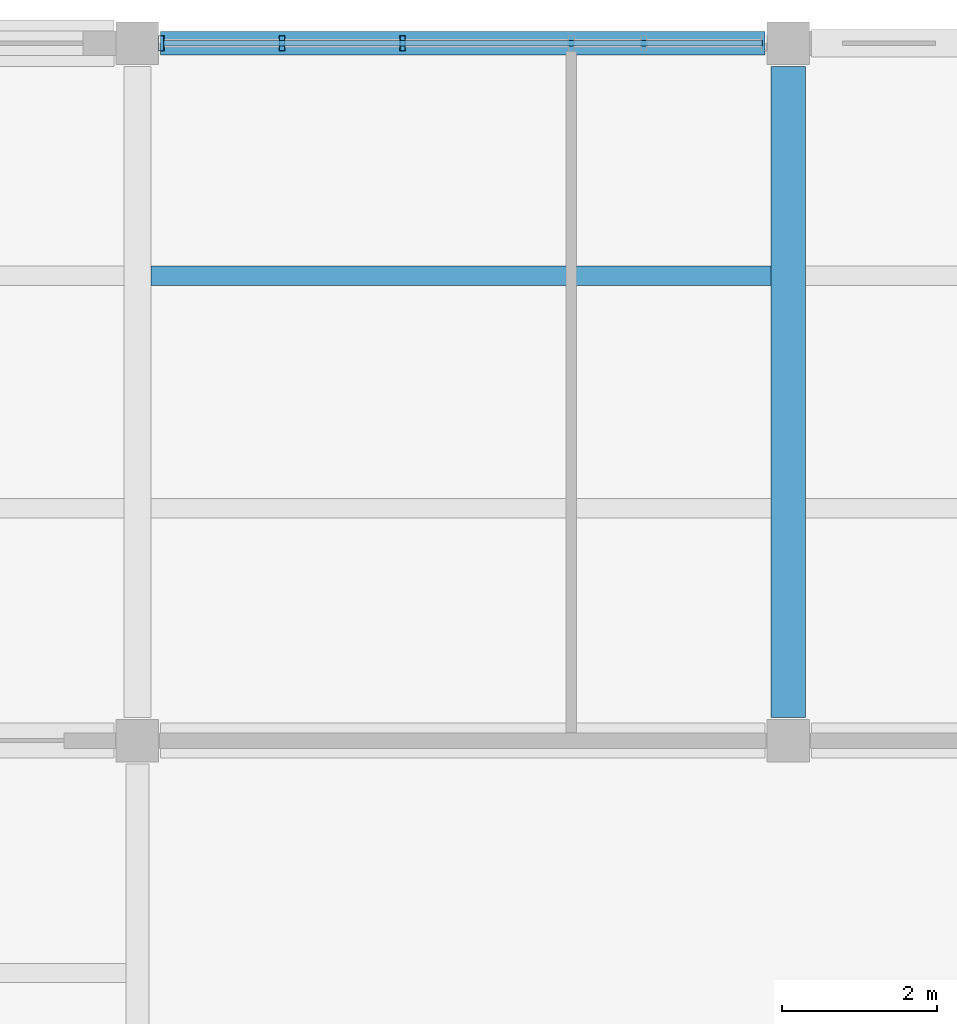
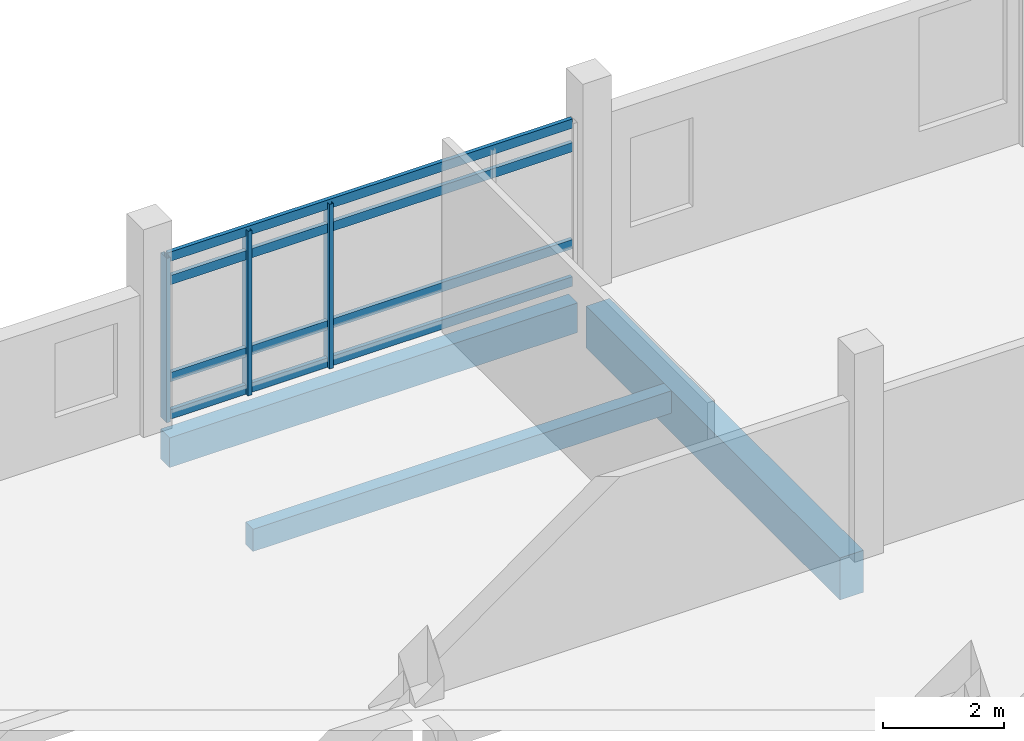
# One storey, part 60 of 130: 7 members, 3 beams, 1 element without a shape of its own.
"""IFC4 building model written with IfcOpenShell, lengths in metres."""

from ifc_helpers import new_model, si_unit, direction, frame, origin, origin_2d, place, context, subcontext, project, spatial, rectangle, hollow_rectangle, extrude, material, layer, layer_set, material_profile, profile_set, type_object, element, aggregate, save


model = new_model("IFC4")

# Units and contexts
model_context = context("Model", 3, precision=1e-05, world=origin(), true_north=direction((0.0, 1.0)))
body_context = subcontext(model_context, "Body", "Model", "MODEL_VIEW")
ifc_project = project(units=[si_unit("LENGTHUNIT", "METRE"), si_unit("AREAUNIT", "SQUARE_METRE"), si_unit("VOLUMEUNIT", "CUBIC_METRE"), si_unit("PLANEANGLEUNIT", "RADIAN"), si_unit("MASSUNIT", "GRAM", prefix="KILO")], contexts=[model_context])

# Site, building, storey
site_placement = place(None, origin())
site = spatial("IfcSite", under=ifc_project, at=site_placement, CompositionType="ELEMENT")
building_placement = place(site_placement, origin())
building = spatial("IfcBuilding", under=site, at=building_placement, Name="Vireocrest Preparatory School", CompositionType="ELEMENT")
storey_placement = place(building_placement, frame((0.0, 0.0, 9.0)))
storey = spatial("IfcBuildingStorey", under=building, at=storey_placement, Name="L02", CompositionType="ELEMENT", Elevation=9.0)

# Curtain wall, members
ifc_material_1 = material(Name="Thermally broken aluminium EN AW-6063-T6", Category="aluminium")
ifc_layer = layer(ifc_material_1, 0.179931640625)
ifc_layer_set = layer_set([ifc_layer], Name="Thermally broken aluminium EN AW-6063-T6")
curtain_wall_type = type_object("IfcCurtainWallType", Name="North Street Curtain Wall 8400x4000", PredefinedType="USERDEFINED", material=ifc_layer_set)
curtain_wall_placement = place(storey_placement, origin())
curtain_wall = element("IfcCurtainWall", 1, at=curtain_wall_placement, inside=storey, type_object=curtain_wall_type, Name="Curtain Wall CW05 CW_L02_CW05_0506_1128_090", ObjectType="CURTAIN WALL", PredefinedType="USERDEFINED")
ifc_material_profile_1 = material_profile(ifc_material_1, hollow_rectangle(XDim=0.074951171875, YDim=0.199951171875, WallThickness=0.0048828125, at=origin_2d()), Name="ALU 75x200x5")
ifc_profile_set_1 = profile_set([ifc_material_profile_1], Name="Thermally broken aluminium EN AW-6063-T6")
member_type_1 = type_object("IfcMemberType", Name="CW Mullion 75x200x5", PredefinedType="MULLION", material=ifc_profile_set_1)
member_1_placement = place(storey_placement, frame((50.7099609375, 112.800048828125, 0.0), z_axis=(0.0, 0.0, 1.0), x_axis=(1.0, 0.0, 0.0)))
member_1 = element("IfcMember", 2, at=member_1_placement, type_object=member_type_1, Name="CW Mullion ML3 CW_L02_CW05_0506_1128_090-1", PredefinedType="MULLION", context=body_context, shape_type="SweptSolid", body=[
    extrude(hollow_rectangle(XDim=0.074951171875, YDim=0.199951171875, WallThickness=0.0048828125, at=origin_2d()), origin(), (0.0, 0.0, 1.0), 3.324951171875),
])
member_2_placement = place(storey_placement, frame((52.26611328125, 112.800048828125, 0.0), z_axis=(0.0, 0.0, 1.0), x_axis=(1.0, 0.0, 0.0)))
member_2 = element("IfcMember", 3, at=member_2_placement, type_object=member_type_1, Name="CW Mullion ML3 CW_L02_CW05_0506_1128_090-2", PredefinedType="MULLION", context=body_context, shape_type="SweptSolid", body=[
    extrude(hollow_rectangle(XDim=0.074951171875, YDim=0.199951171875, WallThickness=0.0048828125, at=origin_2d()), origin(), (0.0, 0.0, 1.0), 3.324951171875),
])
member_3_placement = place(storey_placement, frame((53.822021484375, 112.800048828125, 0.0), z_axis=(0.0, 0.0, 1.0), x_axis=(1.0, 0.0, 0.0)))
member_3 = element("IfcMember", 4, at=member_3_placement, type_object=member_type_1, Name="CW Mullion ML3 CW_L02_CW05_0506_1128_090-3", PredefinedType="MULLION", context=body_context, shape_type="SweptSolid", body=[
    extrude(hollow_rectangle(XDim=0.074951171875, YDim=0.199951171875, WallThickness=0.0048828125, at=origin_2d()), origin(), (0.0, 0.0, 1.0), 3.324951171875),
])
ifc_material_profile_2 = material_profile(ifc_material_1, hollow_rectangle(XDim=0.074951171875, YDim=0.18994140625, WallThickness=0.00390625, at=origin_2d()), Name="ALU 75x190x4")
ifc_profile_set_2 = profile_set([ifc_material_profile_2], Name="Thermally broken aluminium EN AW-6063-T6")
member_type_2 = type_object("IfcMemberType", Name="CW Transom 75x190x4", PredefinedType="USERDEFINED", material=ifc_profile_set_2)
member_4_placement = place(storey_placement, frame((50.735107421875, 112.800048828125, 0.094970703125), z_axis=(1.0, 0.0, 0.0), x_axis=(0.0, 1.0, 0.0)))
member_4 = element("IfcMember", 5, at=member_4_placement, type_object=member_type_2, Name="CW Transom TR3 CW_L02_CW05_0506_1128_090-1", ObjectType="TRANSOM", PredefinedType="USERDEFINED", context=body_context, shape_type="SweptSolid", body=[
    extrude(hollow_rectangle(XDim=0.074951171875, YDim=0.18994140625, WallThickness=0.00390625, at=origin_2d()), origin(), (0.0, 0.0, 1.0), 7.72998046875),
])
member_5_placement = place(storey_placement, frame((50.735107421875, 112.800048828125, 0.85009765625), z_axis=(1.0, 0.0, 0.0), x_axis=(0.0, 1.0, 0.0)))
member_5 = element("IfcMember", 6, at=member_5_placement, type_object=member_type_2, Name="CW Transom TR3 CW_L02_CW05_0506_1128_090-2", ObjectType="TRANSOM", PredefinedType="USERDEFINED", context=body_context, shape_type="SweptSolid", body=[
    extrude(hollow_rectangle(XDim=0.074951171875, YDim=0.18994140625, WallThickness=0.00390625, at=origin_2d()), origin(), (0.0, 0.0, 1.0), 7.72998046875),
])
member_6_placement = place(storey_placement, frame((50.735107421875, 112.800048828125, 2.81005859375), z_axis=(1.0, 0.0, 0.0), x_axis=(0.0, 1.0, 0.0)))
member_6 = element("IfcMember", 7, at=member_6_placement, type_object=member_type_2, Name="CW Transom TR3 CW_L02_CW05_0506_1128_090-3", ObjectType="TRANSOM", PredefinedType="USERDEFINED", context=body_context, shape_type="SweptSolid", body=[
    extrude(hollow_rectangle(XDim=0.074951171875, YDim=0.18994140625, WallThickness=0.00390625, at=origin_2d()), origin(), (0.0, 0.0, 1.0), 7.72998046875),
])
member_7_placement = place(storey_placement, frame((50.735107421875, 112.800048828125, 3.284912109375), z_axis=(1.0, 0.0, 0.0), x_axis=(0.0, 1.0, 0.0)))
member_7 = element("IfcMember", 8, at=member_7_placement, type_object=member_type_2, Name="CW Transom TR3 CW_L02_CW05_0506_1128_090-4", ObjectType="TRANSOM", PredefinedType="USERDEFINED", context=body_context, shape_type="SweptSolid", body=[
    extrude(hollow_rectangle(XDim=0.074951171875, YDim=0.18994140625, WallThickness=0.00390625, at=origin_2d()), origin(), (0.0, 0.0, 1.0), 7.72998046875),
])
aggregate(curtain_wall, [member_1, member_2, member_3, member_4, member_5, member_6, member_7])

# Beams
ifc_material_2 = material(Name="Concrete 40 MPa", Category="concrete")
ifc_material_profile_3 = material_profile(ifc_material_2, rectangle(XDim=0.300048828125, YDim=0.60009765625, at=origin_2d()), Name="RC 300x600")
ifc_profile_set_3 = profile_set([ifc_material_profile_3], Name="Concrete 40 MPa")
beam_type_1 = type_object("IfcBeamType", Name="RC Classroom Beam 300x600", PredefinedType="BEAM", material=ifc_profile_set_3)
beam_1_placement = place(storey_placement, frame((50.699951171875, 112.800048828125, -0.580078125), z_axis=(1.0, 0.0, 0.0), x_axis=(0.0, 1.0, 0.0)))
element("IfcBeam", 9, at=beam_1_placement, inside=storey, type_object=beam_type_1, Name="Primary Girder B03 L02-0775", PredefinedType="BEAM", context=body_context, shape_type="SweptSolid", body=[
    extrude(rectangle(XDim=0.300048828125, YDim=0.60009765625, at=origin_2d()), origin(), (0.0, 0.0, 1.0), 7.800048828125),
])
ifc_material_profile_4 = material_profile(ifc_material_2, rectangle(XDim=0.449951171875, YDim=0.85009765625, at=origin_2d()), Name="RC 450x850")
ifc_profile_set_4 = profile_set([ifc_material_profile_4], Name="Concrete 40 MPa")
beam_type_2 = type_object("IfcBeamType", Name="RC Heavy Floor Girder 450x850", PredefinedType="BEAM", material=ifc_profile_set_4)
beam_2_placement = place(storey_placement, frame((58.800048828125, 104.10009765625, -0.705078125), z_axis=(0.0, 1.0, 0.0), x_axis=(-1.0, 0.0, 0.0)))
element("IfcBeam", 10, at=beam_2_placement, inside=storey, type_object=beam_type_2, Name="Primary Girder B13 L02-0816", PredefinedType="BEAM", context=body_context, shape_type="SweptSolid", body=[
    extrude(rectangle(XDim=0.449951171875, YDim=0.85009765625, at=origin_2d()), origin(), (0.0, 0.0, 1.0), 8.39990234375),
])
ifc_material_profile_5 = material_profile(ifc_material_2, rectangle(XDim=0.25, YDim=0.449951171875, at=origin_2d()), Name="RC 250x450")
ifc_profile_set_5 = profile_set([ifc_material_profile_5], Name="Concrete 40 MPa")
beam_type_3 = type_object("IfcBeamType", Name="RC Secondary Floor Joist 250x450", PredefinedType="JOIST", material=ifc_profile_set_5)
beam_3_placement = place(storey_placement, frame((50.574951171875, 109.800048828125, -0.5048828125), z_axis=(1.0, 0.0, 0.0), x_axis=(0.0, 1.0, 0.0)))
element("IfcBeam", 11, at=beam_3_placement, inside=storey, type_object=beam_type_3, Name="Secondary Joist J01 L02-0925", PredefinedType="JOIST", context=body_context, shape_type="SweptSolid", body=[
    extrude(rectangle(XDim=0.25, YDim=0.449951171875, at=origin_2d()), origin(), (0.0, 0.0, 1.0), 8.0),
])

save(model, "model.ifc")
